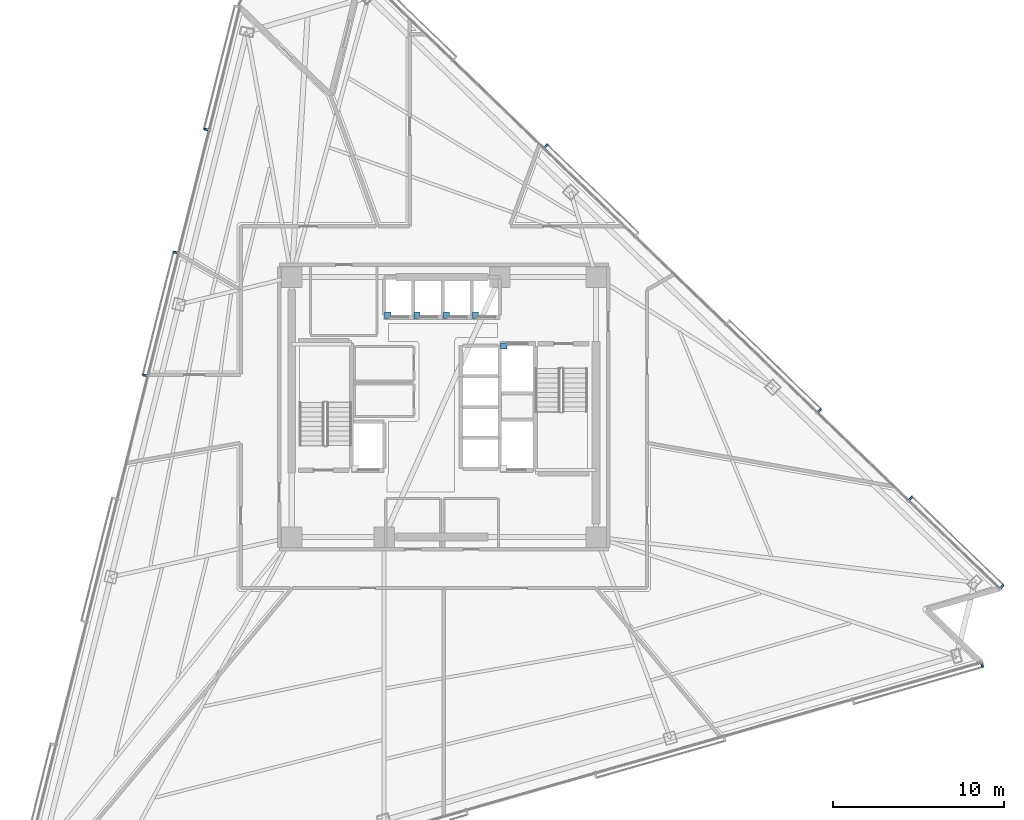
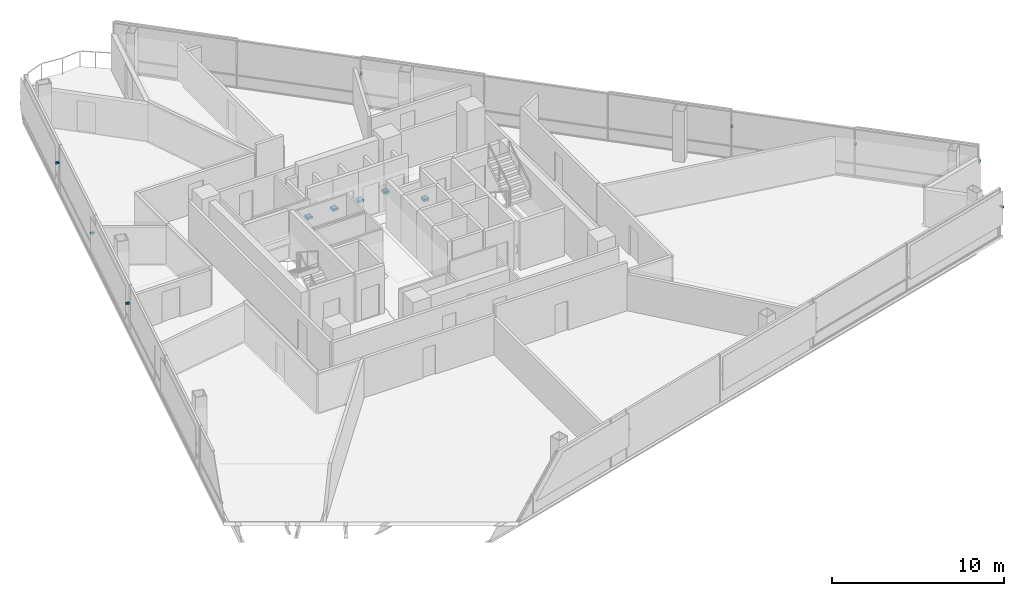
# One storey, part 13 of 19: 13 discrete accessories.
"""IFC4 building model written with IfcOpenShell, lengths in metres."""

from ifc_helpers import new_model, si_unit, direction, frame, origin, origin_2d, place, context, subcontext, project, spatial, rectangle, extrude, material, type_object, element, save


model = new_model("IFC4")

# Units and contexts
model_context = context("Model", 3, precision=1e-05, world=origin(), true_north=direction((0.0, 1.0)))
body_context = subcontext(model_context, "Body", "Model", "MODEL_VIEW")
ifc_project = project(units=[si_unit("LENGTHUNIT", "METRE"), si_unit("AREAUNIT", "SQUARE_METRE"), si_unit("VOLUMEUNIT", "CUBIC_METRE"), si_unit("PLANEANGLEUNIT", "RADIAN"), si_unit("MASSUNIT", "GRAM", prefix="KILO")], contexts=[model_context])

# Site, building, storey
site_placement = place(None, origin())
site = spatial("IfcSite", under=ifc_project, at=site_placement, CompositionType="ELEMENT")
building_placement = place(site_placement, origin())
building = spatial("IfcBuilding", under=site, at=building_placement, Name="Tharavind Bronze Gate", CompositionType="ELEMENT")
storey_placement = place(building_placement, frame((0.0, 0.0, 89.699951171875)))
storey = spatial("IfcBuildingStorey", under=building, at=storey_placement, Name="L22", CompositionType="ELEMENT", Elevation=89.699951171875)

# Discrete accessories
ifc_material_1 = material(Name="Galvanised Steel S355", Category="steel")
discrete_accessory_type_1 = type_object("IfcDiscreteAccessoryType", Name="LIFT GUIDE RAIL BRACKET", PredefinedType="BRACKET", material=ifc_material_1)
for number, where, z_axis, x_axis, name in (
    (1, (-3.280029296875, 5.3701171875, 1.1201171875), (0.0, 0.0, 1.0), (1.0, 0.0, 0.0), "Lift PL5 guide rail bracket at L22"),
    (2, (-1.5673828125, 5.3701171875, 1.1201171875), (0.0, 0.0, 1.0), (1.0, 0.0, 0.0), "Lift PL6 guide rail bracket at L22"),
    (3, (0.14501953125, 5.3701171875, 1.1201171875), (0.0, 0.0, 1.0), (1.0, 0.0, 0.0), "Lift PL7 guide rail bracket at L22"),
    (4, (1.857421875, 5.3701171875, 1.1201171875), (0.0, 0.0, 1.0), (1.0, 0.0, 0.0), "Lift PL8 guide rail bracket at L22"),
    (5, (3.5, 3.580078125, 1.1201171875), (0.0, 0.0, 1.0), (1.0, 0.0, 0.0), "Lift FFL2 guide rail bracket at L22"),
):
    element("IfcDiscreteAccessory", number, at=place(storey_placement, frame(where, z_axis=z_axis, x_axis=x_axis)), inside=storey, type_object=discrete_accessory_type_1, Name=name, PredefinedType="BRACKET", context=body_context, shape_type="SweptSolid", body=[
        extrude(rectangle(XDim=0.360107421875, YDim=0.360107421875, at=origin_2d()), origin(), (0.0, 0.0, 1.0), 0.159912109375),
    ])
ifc_material_2 = material(Name="Stainless Steel 316", Category="steel")
discrete_accessory_type_2 = type_object("IfcDiscreteAccessoryType", Name="SOLAR SCREEN STANDOFF BRACKET", PredefinedType="BRACKET", material=ifc_material_2)
for number, where, z_axis, x_axis, name in (
    (6, (-13.902099609375, 16.243896484375, 2.094970703125), (0.0, 0.0, 1.0), (-0.2419218956, -0.970295726276, 0.0), "CW-L22-S1 solar screen bracket 1.2"),
    (7, (-15.69580078125, 9.0498046875, 2.094970703125), (0.0, 0.0, 1.0), (-0.2419218956, -0.970295726276, 0.0), "CW-L22-S1 solar screen bracket 3.1"),
    (8, (-17.4892578125, 1.855712890625, 2.094970703125), (0.0, 0.0, 1.0), (-0.2419218956, -0.970295726276, 0.0), "CW-L22-S1 solar screen bracket 3.2"),
    (9, (31.48828125, -15.099609375, 2.094970703125), (0.0, 0.0, 1.0), (0.961261695938, 0.275637355817, 0.0), "CW-L22-S2 solar screen bracket 7.2"),
    (10, (32.637939453125, -10.489013671875, 2.094970703125), (0.0, 0.0, 1.0), (-0.719341012745, 0.694657114973, 0.0), "CW-L22-S3 solar screen bracket 1.1"),
    (11, (27.3046875, -5.338623046875, 2.094970703125), (0.0, 0.0, 1.0), (-0.719341012745, 0.694657114973, 0.0), "CW-L22-S3 solar screen bracket 1.2"),
    (12, (21.971435546875, -0.188232421875, 2.094970703125), (0.0, 0.0, 1.0), (-0.719341012745, 0.694657114973, 0.0), "CW-L22-S3 solar screen bracket 3.1"),
    (13, (5.97119140625, 15.2626953125, 2.094970703125), (0.0, 0.0, 1.0), (-0.719341012745, 0.694657114973, 0.0), "CW-L22-S3 solar screen bracket 5.2"),
):
    element("IfcDiscreteAccessory", number, at=place(storey_placement, frame(where, z_axis=z_axis, x_axis=x_axis)), inside=storey, type_object=discrete_accessory_type_2, Name=name, PredefinedType="BRACKET", context=body_context, shape_type="SweptSolid", body=[
        extrude(rectangle(XDim=0.1201171875, YDim=0.239990234375, at=origin_2d()), origin(), (0.0, 0.0, 1.0), 0.1201171875),
    ])

save(model, "model.ifc")
